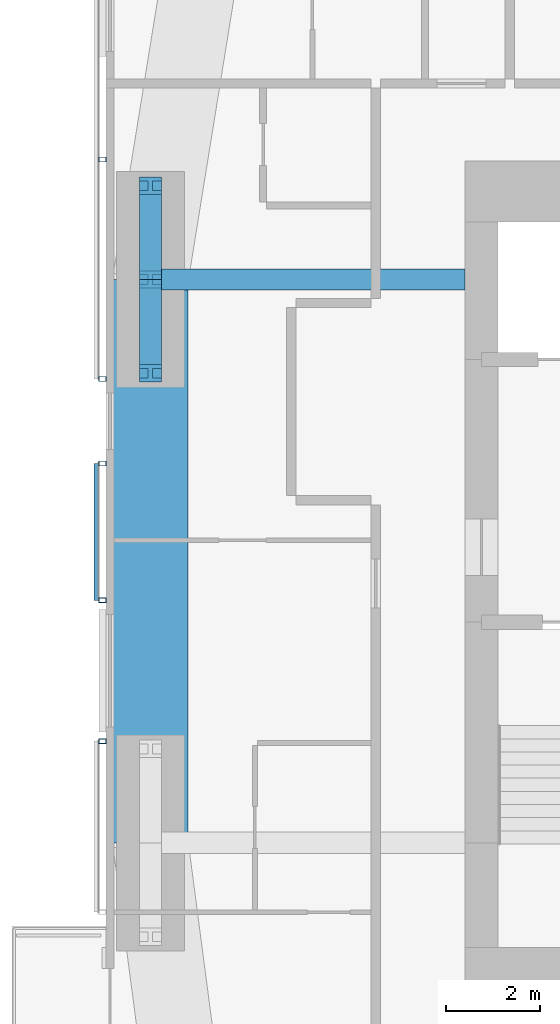
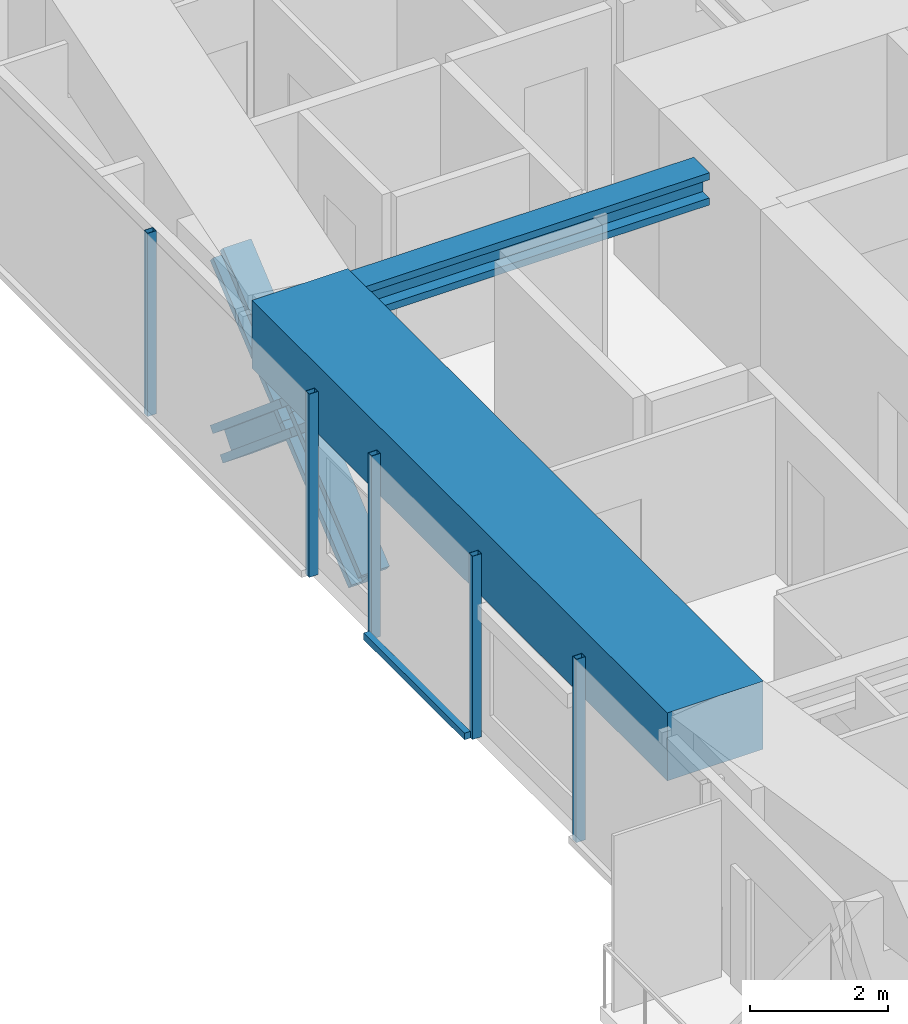
# One storey, part 5 of 22: 10 members, 2 beams, 3 elements without a shape of their own.
"""IFC4 building model written with IfcOpenShell, lengths in metres."""

from ifc_helpers import new_model, si_unit, direction, frame, origin, origin_2d, place, context, subcontext, project, spatial, rectangle, hollow_rectangle, i_section, extrude, material, material_profile, profile_set, type_object, element, aggregate, save


model = new_model("IFC4")

# Units and contexts
model_context = context("Model", 3, precision=1e-05, world=origin(), true_north=direction((0.0, 1.0)))
body_context = subcontext(model_context, "Body", "Model", "MODEL_VIEW")
ifc_project = project(units=[si_unit("LENGTHUNIT", "METRE"), si_unit("AREAUNIT", "SQUARE_METRE"), si_unit("VOLUMEUNIT", "CUBIC_METRE"), si_unit("PLANEANGLEUNIT", "RADIAN"), si_unit("MASSUNIT", "GRAM", prefix="KILO")], contexts=[model_context])

# Site, building, storey
site_placement = place(None, origin())
site = spatial("IfcSite", under=ifc_project, at=site_placement, CompositionType="ELEMENT")
building_placement = place(site_placement, origin())
building = spatial("IfcBuilding", under=site, at=building_placement, Name="Jalousie Tower", CompositionType="ELEMENT")
storey_placement = place(building_placement, frame((0.0, 0.0, 161.050048828125)))
storey = spatial("IfcBuildingStorey", under=building, at=storey_placement, Name="L43", CompositionType="ELEMENT", Elevation=161.050048828125)

# Beam
ifc_material_1 = material(Name="Steel ASTM A992 Grade 50", Category="steel")
ifc_material_profile_1 = material_profile(ifc_material_1, i_section(OverallWidth=0.45458984375, OverallDepth=0.569091796875, WebThickness=0.077880859375, FlangeThickness=0.124755859375, at=origin_2d()), Name="W14X730")
ifc_profile_set_1 = profile_set([ifc_material_profile_1], Name="Steel ASTM A992 Grade 50")
beam_type_1 = type_object("IfcBeamType", Name="LEAN COLLECTOR W14X730", PredefinedType="BEAM", material=ifc_profile_set_1)
beam_1_placement = place(storey_placement, frame((12.949951171875, 25.0, 2.825439453125), z_axis=(1.0, 0.0, 0.0), x_axis=(0.0, 1.0, 0.0)))
element("IfcBeam", 1, at=beam_1_placement, inside=storey, type_object=beam_type_1, Name="Lean collector under L44", PredefinedType="BEAM", context=body_context, shape_type="SweptSolid", body=[
    extrude(i_section(OverallWidth=0.45458984375, OverallDepth=0.569091796875, WebThickness=0.077880859375, FlangeThickness=0.124755859375, at=origin_2d()), origin(), (0.0, 0.0, 1.0), 6.699951171875),
])

# Members
ifc_material_2 = material(Name="Steel ASTM A992 Grade 50", Category="steel")
ifc_material_profile_2 = material_profile(ifc_material_2, i_section(OverallWidth=0.472412109375, OverallDepth=0.5791015625, WebThickness=0.094970703125, FlangeThickness=0.1298828125, at=origin_2d()), Name="W14X808")
ifc_profile_set_2 = profile_set([ifc_material_profile_2], Name="Steel ASTM A992 Grade 50")
member_type_1 = type_object("IfcMemberType", Name="PERIMETER BRACE W14X808", PredefinedType="BRACE", material=ifc_profile_set_2)
for number, where, z_axis, x_axis, name in (
    (2, (12.949951171875, 23.0, -0.60009765625), (0.0, 0.766638753323, 0.642078672674), (-1.0, 0.0, 0.0), "Perimeter brace 13 L43 part 1"),
    (3, (12.949951171875, 25.0, 1.074951171875), (0.0, 0.766638753323, 0.642078672674), (-1.0, 0.0, 0.0), "Perimeter brace 13 L43 part 2"),
    (4, (12.949951171875, 27.0, -0.60009765625), (0.0, -0.766638753323, 0.642078672674), (1.0, 0.0, 0.0), "Perimeter brace 13 L43 part 3"),
    (5, (12.949951171875, 25.0, 1.074951171875), (0.0, -0.766638753323, 0.642078672674), (1.0, 0.0, 0.0), "Perimeter brace 13 L43 part 4"),
):
    element("IfcMember", number, at=place(storey_placement, frame(where, z_axis=z_axis, x_axis=x_axis)), inside=storey, type_object=member_type_1, Name=name, PredefinedType="BRACE", context=body_context, shape_type="SweptSolid", body=[
        extrude(i_section(OverallWidth=0.472412109375, OverallDepth=0.5791015625, WebThickness=0.094970703125, FlangeThickness=0.1298828125, at=origin_2d()), origin(), (0.0, 0.0, 1.0), 2.60888671875),
    ])

# Beam
ifc_material_3 = material(Name="Concrete f'c 40 MPa", Category="concrete")
ifc_material_profile_3 = material_profile(ifc_material_3, rectangle(XDim=1.60009765625, YDim=1.199951171875, at=origin_2d()), Name="RC 1600x1200")
ifc_profile_set_3 = profile_set([ifc_material_profile_3], Name="Concrete f'c 40 MPa")
beam_type_2 = type_object("IfcBeamType", Name="RC BEAM 1600x1200", PredefinedType="BEAM", material=ifc_profile_set_3)
beam_2_placement = place(storey_placement, frame((12.949951171875, 25.0, 2.75), z_axis=(0.0, -1.0, 0.0), x_axis=(1.0, 0.0, 0.0)))
element("IfcBeam", 6, at=beam_2_placement, inside=storey, type_object=beam_type_2, Name="Edge band beam 13-14 under L44", PredefinedType="BEAM", context=body_context, shape_type="SweptSolid", body=[
    extrude(rectangle(XDim=1.60009765625, YDim=1.199951171875, at=origin_2d()), origin(), (0.0, 0.0, 1.0), 12.0),
])

# Curtain wall, members
ifc_material_4 = material(Name="Perforated aluminium sheet", Category="aluminium")
curtain_wall_type = type_object("IfcCurtainWallType", Name="SOLAR SCREEN SS-1", PredefinedType="USERDEFINED", material=ifc_material_4)
curtain_wall_1_placement = place(storey_placement, origin())
curtain_wall_1 = element("IfcCurtainWall", 7, at=curtain_wall_1_placement, inside=storey, type_object=curtain_wall_type, Name="Solar screen L43", ObjectType="SOLAR SCREEN SS-1", PredefinedType="USERDEFINED")
ifc_material_5 = material(Name="Steel ASTM A500 Grade C", Category="steel")
ifc_material_profile_4 = material_profile(ifc_material_5, hollow_rectangle(XDim=0.1015625, YDim=0.15234375, WallThickness=0.00634765625, at=origin_2d()), Name="HSS6X4X1/4")
ifc_profile_set_4 = profile_set([ifc_material_profile_4], Name="Steel ASTM A500 Grade C")
member_type_2 = type_object("IfcMemberType", Name="SOLAR SCREEN SS-1 MULLION", PredefinedType="MULLION", material=ifc_profile_set_4)
member_1_placement = place(storey_placement, frame((11.9287109375, 27.555419921875, -0.1201171875), z_axis=(0.0, 0.0, 1.0), x_axis=(0.0, -1.0, 0.0)))
member_1 = element("IfcMember", 8, at=member_1_placement, type_object=member_type_2, Name="SS1 post 2", PredefinedType="MULLION", context=body_context, shape_type="SweptSolid", body=[
    extrude(hollow_rectangle(XDim=0.1015625, YDim=0.15234375, WallThickness=0.00634765625, at=origin_2d()), origin(), (0.0, 0.0, 1.0), 3.22998046875),
])
member_2_placement = place(storey_placement, frame((11.9287109375, 22.8818359375, -0.1201171875), z_axis=(0.0, 0.0, 1.0), x_axis=(0.0, -1.0, 0.0)))
member_2 = element("IfcMember", 9, at=member_2_placement, type_object=member_type_2, Name="SS1 post 3", PredefinedType="MULLION", context=body_context, shape_type="SweptSolid", body=[
    extrude(hollow_rectangle(XDim=0.1015625, YDim=0.15234375, WallThickness=0.00634765625, at=origin_2d()), origin(), (0.0, 0.0, 1.0), 3.22998046875),
])
aggregate(curtain_wall_1, [member_1, member_2])

curtain_wall_2_placement = place(storey_placement, origin())
curtain_wall_2 = element("IfcCurtainWall", 10, at=curtain_wall_2_placement, inside=storey, type_object=curtain_wall_type, Name="Solar screen L43", ObjectType="SOLAR SCREEN SS-1", PredefinedType="USERDEFINED")
member_3_placement = place(storey_placement, frame((11.9287109375, 21.081787109375, -0.1201171875), z_axis=(0.0, 0.0, 1.0), x_axis=(0.0, -1.0, 0.0)))
member_3 = element("IfcMember", 11, at=member_3_placement, type_object=member_type_2, Name="SS1 post 1", PredefinedType="MULLION", context=body_context, shape_type="SweptSolid", body=[
    extrude(hollow_rectangle(XDim=0.1015625, YDim=0.15234375, WallThickness=0.00634765625, at=origin_2d()), origin(), (0.0, 0.0, 1.0), 3.22998046875),
])
member_4_placement = place(storey_placement, frame((11.9287109375, 18.166015625, -0.1201171875), z_axis=(0.0, 0.0, 1.0), x_axis=(0.0, -1.0, 0.0)))
member_4 = element("IfcMember", 12, at=member_4_placement, type_object=member_type_2, Name="SS1 post 2", PredefinedType="MULLION", context=body_context, shape_type="SweptSolid", body=[
    extrude(hollow_rectangle(XDim=0.1015625, YDim=0.15234375, WallThickness=0.00634765625, at=origin_2d()), origin(), (0.0, 0.0, 1.0), 3.22998046875),
])

# Curtain wall, member
curtain_wall_3_placement = place(storey_placement, origin())
curtain_wall_3 = element("IfcCurtainWall", 13, at=curtain_wall_3_placement, inside=storey, type_object=curtain_wall_type, Name="Solar screen L43", ObjectType="SOLAR SCREEN SS-1", PredefinedType="USERDEFINED")
member_5_placement = place(storey_placement, frame((11.9287109375, 15.166015625, -0.1201171875), z_axis=(0.0, 0.0, 1.0), x_axis=(0.0, -1.0, 0.0)))
member_5 = element("IfcMember", 14, at=member_5_placement, type_object=member_type_2, Name="SS1 post 1", PredefinedType="MULLION", context=body_context, shape_type="SweptSolid", body=[
    extrude(hollow_rectangle(XDim=0.1015625, YDim=0.15234375, WallThickness=0.00634765625, at=origin_2d()), origin(), (0.0, 0.0, 1.0), 3.22998046875),
])
aggregate(curtain_wall_3, [member_5])

# Member
ifc_material_6 = material(Name="Extruded aluminium screen rail", Category="aluminium")
ifc_material_profile_5 = material_profile(ifc_material_6, rectangle(XDim=0.1015625, YDim=0.1201171875, at=origin_2d()), Name="RAIL 102x120")
ifc_profile_set_5 = profile_set([ifc_material_profile_5], Name="Extruded aluminium screen rail")
member_type_3 = type_object("IfcMemberType", Name="SOLAR SCREEN SS-1 TRANSOM", PredefinedType="USERDEFINED", material=ifc_profile_set_5)
member_6_placement = place(storey_placement, frame((11.8017578125, 21.081787109375, -0.06005859375), z_axis=(0.0, -1.0, 0.0), x_axis=(1.0, 0.0, 0.0)))
member_6 = element("IfcMember", 15, at=member_6_placement, type_object=member_type_3, Name="SS1 rail", ObjectType="TRANSOM", PredefinedType="USERDEFINED", context=body_context, shape_type="SweptSolid", body=[
    extrude(rectangle(XDim=0.1015625, YDim=0.1201171875, at=origin_2d()), origin(), (0.0, 0.0, 1.0), 2.915771484375),
])

aggregate(curtain_wall_2, [member_3, member_4, member_6])

save(model, "model.ifc")
